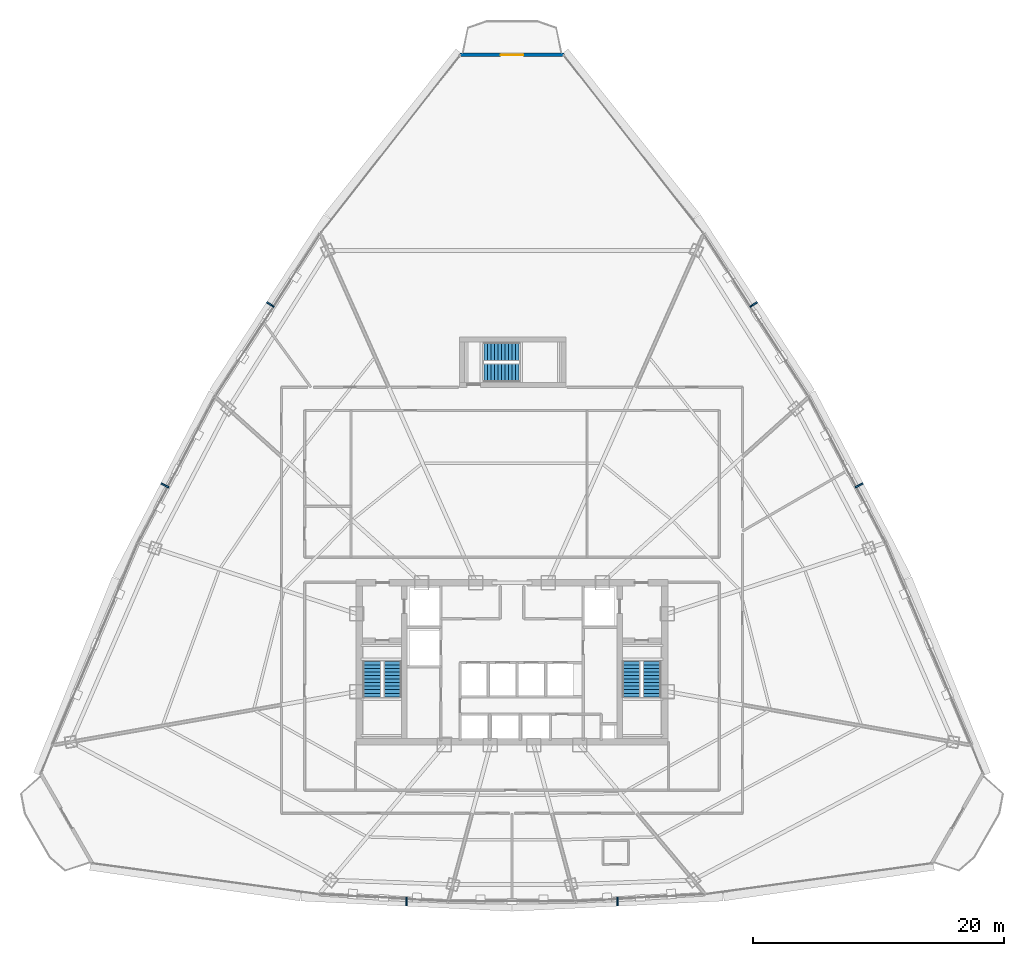
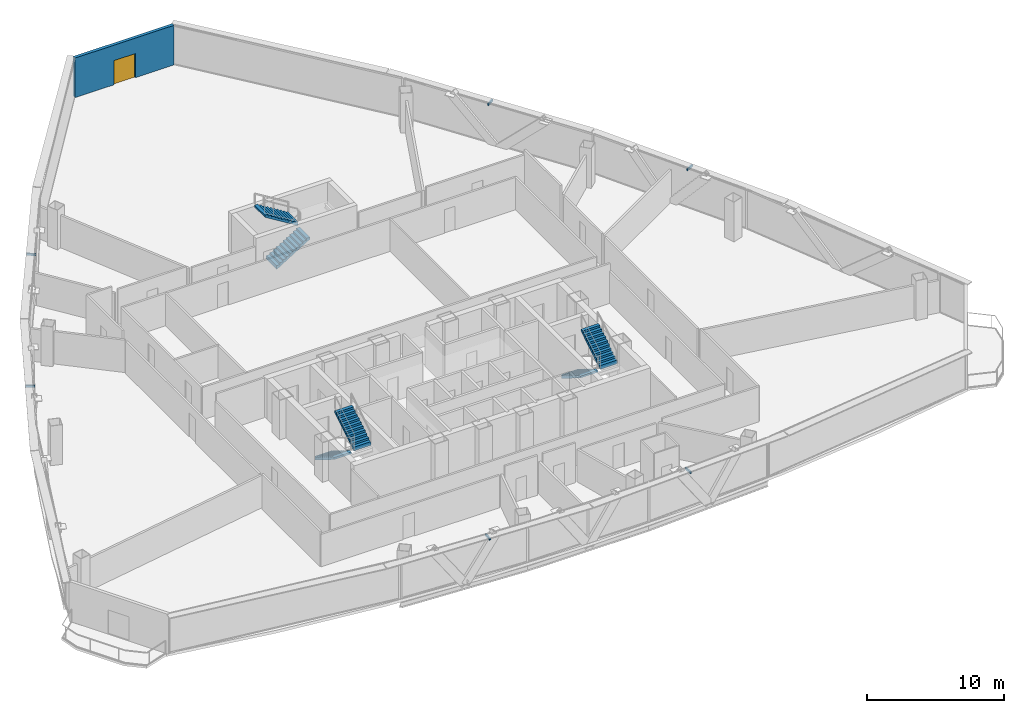
# One storey, part 32 of 36: 6 discrete accessories, 6 stair flights, 1 door, 1 wall, 1 opening, 3 elements without a shape of their own.
"""IFC4 building model written with IfcOpenShell, lengths in metres."""

from ifc_helpers import new_model, si_unit, direction, frame, frame_2d, origin, origin_with_axes, origin_2d, place, context, subcontext, project, spatial, polyline, rectangle, outline, extrude, source, transform, mapped, material, layer, layer_set, type_object, element, fill, aggregate, save


model = new_model("IFC4")

# Units and contexts
model_context = context("Model", 3, precision=1e-05, world=origin(), true_north=direction((0.0, 1.0)))
body_context = subcontext(model_context, "Body", "Model", "MODEL_VIEW")
ifc_project = project(units=[si_unit("LENGTHUNIT", "METRE"), si_unit("AREAUNIT", "SQUARE_METRE"), si_unit("VOLUMEUNIT", "CUBIC_METRE"), si_unit("PLANEANGLEUNIT", "RADIAN"), si_unit("MASSUNIT", "GRAM", prefix="KILO"), si_unit("THERMODYNAMICTEMPERATUREUNIT", "KELVIN"), si_unit("POWERUNIT", "WATT")], contexts=[model_context])

# Site, building, storey
site_placement = place(None, origin())
site = spatial("IfcSite", under=ifc_project, at=site_placement, CompositionType="ELEMENT")
building_placement = place(site_placement, origin())
building = spatial("IfcBuilding", under=site, at=building_placement, Name="Yunzhuo Pagoda Commons", CompositionType="ELEMENT")
storey_placement = place(building_placement, frame((0.0, 0.0, 215.159912109375)))
storey = spatial("IfcBuildingStorey", under=building, at=storey_placement, Name="L54", CompositionType="ELEMENT", Elevation=215.159912109375)

# Wall, opening, door
ifc_material_1 = material(Name="Precast concrete C40", Category="concrete")
ifc_layer = layer(ifc_material_1, 0.260009765625)
ifc_layer_set = layer_set([ifc_layer], Name="Precast concrete C40")
wall_type = type_object("IfcWallType", Name="W-BAL1 Corner Balcony Threshold Wall 260", PredefinedType="STANDARD", material=ifc_layer_set)
wall_placement = place(storey_placement, frame((52.16943359375, 82.336669921875, 0.0), z_axis=(0.0, 0.0, 1.0), x_axis=(-1.0, 0.0, 0.0)))
wall = element("IfcWall", 1, at=wall_placement, inside=storey, type_object=wall_type, Name="L54 corner balcony wall V3", PredefinedType="STANDARD", context=body_context, shape_type="SweptSolid", body=[
    extrude(rectangle(XDim=8.3388671875, YDim=0.260009765625, at=frame_2d((4.16943359375, 0.0))), origin(), (0.0, 0.0, 1.0), 3.52001953125),
])
opening_placement = place(wall_placement, frame((3.26953125, 0.0, 0.0)))
opening = element("IfcOpeningElement", 2, at=opening_placement, cuts=wall, Name="Opening D-BAL1", PredefinedType="OPENING", context=body_context, shape_type="SweptSolid", body=[
    extrude(rectangle(XDim=1.800048828125, YDim=2.14990234375, at=frame_2d((0.89990234375, 1.074951171875))), frame((0.0, 0.14013671875, 0.0), z_axis=(0.0, -1.0, 0.0), x_axis=(1.0, 0.0, 0.0)), (0.0, 0.0, 1.0), 0.280029296875),
])
ifc_material_2 = material(Name="Anodized aluminium frame and tempered glazed leaf", Category="aluminium")
door_type = type_object("IfcDoorType", Name="D-BAL1 Corner Balcony Sliding Glazed Door 1800x2150", OperationType="DOUBLE_DOOR_SLIDING", PredefinedType="DOOR", material=ifc_material_2)
shared_shape_1 = source(origin(), body_context, "Body", "SweptSolid", [
    extrude(rectangle(XDim=1.800048828125, YDim=2.14990234375, at=frame_2d((0.89990234375, 1.074951171875))), frame((0.0, 0.02490234375, 0.0), z_axis=(0.0, -1.0, 0.0), x_axis=(1.0, 0.0, 0.0)), (0.0, 0.0, 1.0), 0.050048828125),
])
door_placement = place(opening_placement, origin_with_axes())
door = element("IfcDoor", 3, at=door_placement, inside=storey, type_object=door_type, Name="L54 corner balcony sliding door V3", OperationType="DOUBLE_DOOR_SLIDING", OverallHeight=2.14990234375, OverallWidth=1.800048828125, PredefinedType="DOOR", context=body_context, shape_type="MappedRepresentation", body=[
    mapped(shared_shape_1, transform((0.0, 0.0, 0.0), scale=1.0)),
])
fill(opening, door)

# Stair, stair flights
ifc_material_3 = material(Name="Concrete C40", Category="concrete")
stair_type_1 = type_object("IfcStairType", Name="ST-C1 Core Smokeproof Stair ST1", PredefinedType="HALF_TURN_STAIR", material=ifc_material_3)
stair_1_placement = place(storey_placement, origin())
stair_1 = element("IfcStair", 4, at=stair_1_placement, inside=storey, type_object=stair_type_1, Name="L54 Core smokeproof stair ST1", PredefinedType="HALF_TURN_STAIR")
stair_flight_type_1 = type_object("IfcStairFlightType", Name="STF-C1 Core Stair Flight 1450", PredefinedType="STRAIGHT", material=ifc_material_3)
shared_shape_2 = source(origin(), body_context, "Body", "SweptSolid", [
    extrude(outline(polyline([(0.0, -0.14990234375), (0.0, 0.0), (0.0, 0.172607421875), (0.280029296875, 0.172607421875), (0.280029296875, 0.345458984375), (0.56005859375, 0.345458984375), (0.56005859375, 0.51806640625), (0.840087890625, 0.51806640625), (0.840087890625, 0.69091796875), (1.1201171875, 0.69091796875), (1.1201171875, 0.863525390625), (1.39990234375, 0.863525390625), (1.39990234375, 1.036376953125), (1.679931640625, 1.036376953125), (1.679931640625, 1.208984375), (1.9599609375, 1.208984375), (1.9599609375, 1.3818359375), (2.239990234375, 1.3818359375), (2.239990234375, 1.554443359375), (2.52001953125, 1.554443359375), (2.52001953125, 1.727294921875), (2.800048828125, 1.727294921875), (2.800048828125, 1.89990234375), (2.800048828125, 1.551025390625), (0.285400390625, 0.0), (0.050048828125, -0.14990234375), (0.0, -0.14990234375)])), frame((0.0, 0.72509765625, 0.0), z_axis=(0.0, -1.0, 0.0), x_axis=(1.0, 0.0, 0.0)), (0.0, 0.0, 1.0), 1.449951171875),
])
stair_flight_1_placement = place(storey_placement, frame((36.824951171875, 33.89990234375, 0.0), z_axis=(0.0, 0.0, 1.0), x_axis=(0.0, -1.0, 0.0)))
stair_flight_1 = element("IfcStairFlight", 5, at=stair_flight_1_placement, type_object=stair_flight_type_1, Name="ST1 flight 1", NumberOfRisers=11, NumberOfTreads=10, PredefinedType="STRAIGHT", RiserHeight=0.172727273, TreadLength=0.28, context=body_context, shape_type="MappedRepresentation", body=[
    mapped(shared_shape_2, transform((0.0, 0.0, 0.0), scale=1.0)),
])
stair_flight_2_placement = place(storey_placement, frame((38.47509765625, 31.10009765625, 1.900146484375), z_axis=(0.0, 0.0, 1.0), x_axis=(0.0, 1.0, 0.0)))
stair_flight_2 = element("IfcStairFlight", 6, at=stair_flight_2_placement, type_object=stair_flight_type_1, Name="ST1 flight 2", NumberOfRisers=11, NumberOfTreads=10, PredefinedType="STRAIGHT", RiserHeight=0.172727273, TreadLength=0.28, context=body_context, shape_type="MappedRepresentation", body=[
    mapped(shared_shape_2, transform((0.0, 0.0, 0.0), scale=1.0)),
])
aggregate(stair_1, [stair_flight_1, stair_flight_2])

stair_type_2 = type_object("IfcStairType", Name="ST-C2 Core Smokeproof Stair ST2", PredefinedType="HALF_TURN_STAIR", material=ifc_material_3)
stair_2_placement = place(storey_placement, origin())
stair_2 = element("IfcStair", 7, at=stair_2_placement, inside=storey, type_object=stair_type_2, Name="L54 Core smokeproof stair ST2", PredefinedType="HALF_TURN_STAIR")
stair_flight_type_2 = type_object("IfcStairFlightType", Name="STF-C2 Core Stair Flight 1460", PredefinedType="STRAIGHT", material=ifc_material_3)
stair_flight_3_placement = place(storey_placement, frame((57.52490234375, 33.89990234375, 0.0), z_axis=(0.0, 0.0, 1.0), x_axis=(0.0, -1.0, 0.0)))
stair_flight_3 = element("IfcStairFlight", 8, at=stair_flight_3_placement, type_object=stair_flight_type_2, Name="ST2 flight 1", NumberOfRisers=11, NumberOfTreads=10, PredefinedType="STRAIGHT", RiserHeight=0.172727273, TreadLength=0.28, context=body_context, shape_type="MappedRepresentation", body=[
    mapped(shared_shape_2, transform((0.0, 0.0, 0.0), scale=1.0)),
])
stair_flight_4_placement = place(storey_placement, frame((59.175048828125, 31.10009765625, 1.900146484375), z_axis=(0.0, 0.0, 1.0), x_axis=(0.0, 1.0, 0.0)))
stair_flight_4 = element("IfcStairFlight", 9, at=stair_flight_4_placement, type_object=stair_flight_type_2, Name="ST2 flight 2", NumberOfRisers=11, NumberOfTreads=10, PredefinedType="STRAIGHT", RiserHeight=0.172727273, TreadLength=0.28, context=body_context, shape_type="MappedRepresentation", body=[
    mapped(shared_shape_2, transform((0.0, 0.0, 0.0), scale=1.0)),
])
aggregate(stair_2, [stair_flight_3, stair_flight_4])

stair_type_3 = type_object("IfcStairType", Name="ST-C3 North Tower Smokeproof Stair ST3", PredefinedType="HALF_TURN_STAIR", material=ifc_material_3)
stair_3_placement = place(storey_placement, origin())
stair_3 = element("IfcStair", 10, at=stair_3_placement, inside=storey, type_object=stair_type_3, Name="L54 North tower smokeproof stair ST3", PredefinedType="HALF_TURN_STAIR")
stair_flight_type_3 = type_object("IfcStairFlightType", Name="STF-C3 North Stair Flight 1500", PredefinedType="STRAIGHT", material=ifc_material_3)
shared_shape_3 = source(origin(), body_context, "Body", "SweptSolid", [
    extrude(outline(polyline([(0.0, -0.14990234375), (0.0, 0.0), (0.0, 0.172607421875), (0.280029296875, 0.172607421875), (0.280029296875, 0.345458984375), (0.56005859375, 0.345458984375), (0.56005859375, 0.51806640625), (0.840087890625, 0.51806640625), (0.840087890625, 0.69091796875), (1.1201171875, 0.69091796875), (1.1201171875, 0.863525390625), (1.39990234375, 0.863525390625), (1.39990234375, 1.036376953125), (1.679931640625, 1.036376953125), (1.679931640625, 1.208984375), (1.9599609375, 1.208984375), (1.9599609375, 1.3818359375), (2.239990234375, 1.3818359375), (2.239990234375, 1.554443359375), (2.52001953125, 1.554443359375), (2.52001953125, 1.727294921875), (2.800048828125, 1.727294921875), (2.800048828125, 1.89990234375), (2.800048828125, 1.551025390625), (0.285400390625, 0.0), (0.050048828125, -0.14990234375), (0.0, -0.14990234375)])), frame((0.0, 0.75, 0.0), z_axis=(0.0, -1.0, 0.0), x_axis=(1.0, 0.0, 0.0)), (0.0, 0.0, 1.0), 1.5),
])
stair_flight_5_placement = place(storey_placement, frame((45.75, 56.949951171875, 0.0), z_axis=(0.0, 0.0, 1.0), x_axis=(1.0, 0.0, 0.0)))
stair_flight_5 = element("IfcStairFlight", 11, at=stair_flight_5_placement, type_object=stair_flight_type_3, Name="ST3 flight 1", NumberOfRisers=11, NumberOfTreads=10, PredefinedType="STRAIGHT", RiserHeight=0.172727273, TreadLength=0.28, context=body_context, shape_type="MappedRepresentation", body=[
    mapped(shared_shape_3, transform((0.0, 0.0, 0.0), scale=1.0)),
])
stair_flight_6_placement = place(storey_placement, frame((48.550048828125, 58.64990234375, 1.900146484375), z_axis=(0.0, 0.0, 1.0), x_axis=(-1.0, 0.0, 0.0)))
stair_flight_6 = element("IfcStairFlight", 12, at=stair_flight_6_placement, type_object=stair_flight_type_3, Name="ST3 flight 2", NumberOfRisers=11, NumberOfTreads=10, PredefinedType="STRAIGHT", RiserHeight=0.172727273, TreadLength=0.28, context=body_context, shape_type="MappedRepresentation", body=[
    mapped(shared_shape_3, transform((0.0, 0.0, 0.0), scale=1.0)),
])
aggregate(stair_3, [stair_flight_5, stair_flight_6])

# Discrete accessories
ifc_material_4 = material(Name="Anodized aluminium 6063-T6", Category="aluminium")
discrete_accessory_type = type_object("IfcDiscreteAccessoryType", Name="BK-SUN1 Sunshade Outrigger Bracket", PredefinedType="BRACKET", material=ifc_material_4)
shared_shape_4 = source(origin(), body_context, "Body", "SweptSolid", [
    extrude(rectangle(XDim=0.1201171875, YDim=0.679931640625, at=origin_2d()), origin(), (0.0, 0.0, 1.0), 0.179931640625),
])
for number, where, z_axis, x_axis, name in (
    (13, (39.576904296875, 14.749267578125, 3.31005859375), (0.0, 0.0, 1.0), (0.998818043775, -0.04860571396, 0.0), "L54 sunshade outrigger bracket F1.2"),
    (14, (56.423095703125, 14.749267578125, 3.31005859375), (0.0, 0.0, 1.0), (0.998818043775, 0.04860571396, 0.0), "L54 sunshade outrigger bracket F1.3"),
    (15, (75.705078125, 47.9716796875, 3.31005859375), (0.0, 0.0, 1.0), (-0.461206683033, 0.88729273384, 0.0), "L54 sunshade outrigger bracket F2.2"),
    (16, (67.281982421875, 62.4013671875, 3.31005859375), (0.0, 0.0, 1.0), (-0.545838756973, 0.837890238269, 0.0), "L54 sunshade outrigger bracket F2.3"),
    (17, (28.718017578125, 62.4013671875, 3.31005859375), (0.0, 0.0, 1.0), (-0.545838756973, -0.837890238269, 0.0), "L54 sunshade outrigger bracket F3.2"),
    (18, (20.294921875, 47.9716796875, 3.31005859375), (0.0, 0.0, 1.0), (-0.461206683033, -0.88729273384, 0.0), "L54 sunshade outrigger bracket F3.3"),
):
    element("IfcDiscreteAccessory", number, at=place(storey_placement, frame(where, z_axis=z_axis, x_axis=x_axis)), inside=storey, type_object=discrete_accessory_type, Name=name, PredefinedType="BRACKET", context=body_context, shape_type="MappedRepresentation", body=[
        mapped(shared_shape_4, transform((0.0, 0.0, 0.0), scale=1.0)),
    ])

save(model, "model.ifc")
